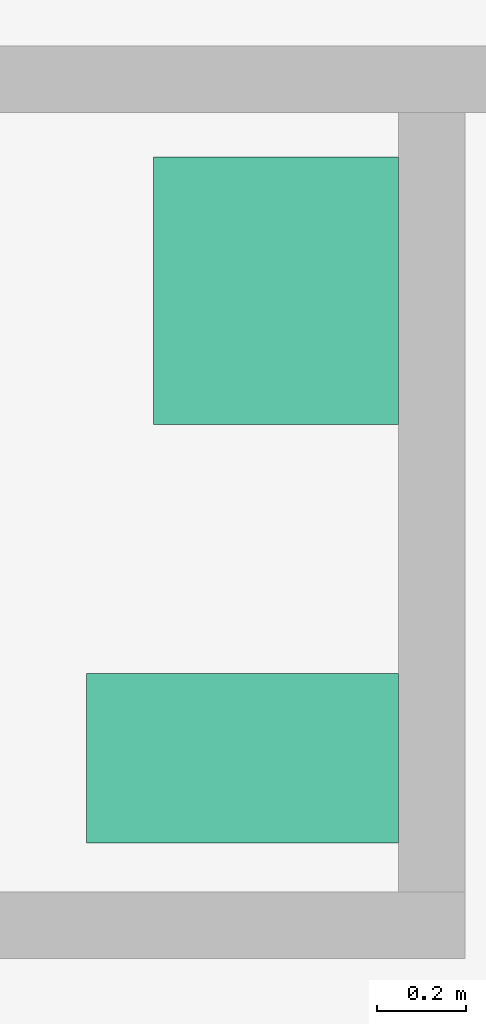
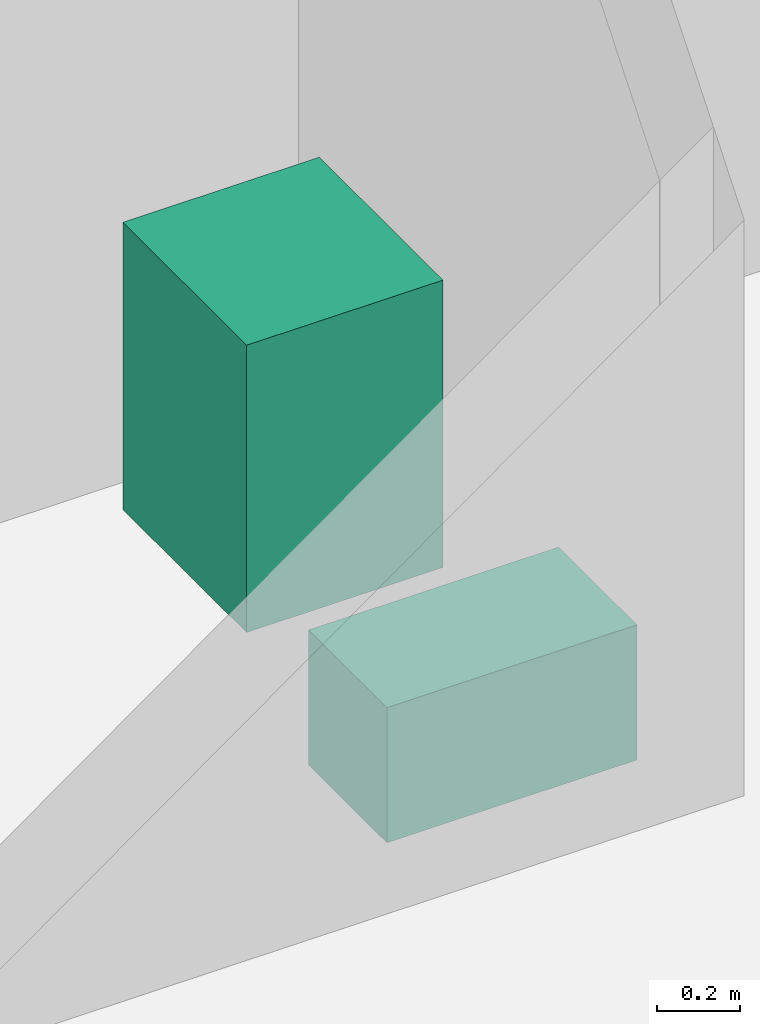
# One storey, part 14 of 14: 2 sanitary terminals.
"""IFC4 building model written with IfcOpenShell, lengths in metres."""

from ifc_helpers import new_model, si_unit, direction, frame, origin, origin_2d, place, context, subcontext, project, spatial, rectangle, extrude, material, element, save


model = new_model("IFC4")

# Units and contexts
model_context = context("Model", 3, precision=1e-05, world=origin(), true_north=direction((0.0, 1.0)))
body_context = subcontext(model_context, "Body", "Model", "MODEL_VIEW")
ifc_project = project(units=[si_unit("LENGTHUNIT", "METRE"), si_unit("AREAUNIT", "SQUARE_METRE"), si_unit("VOLUMEUNIT", "CUBIC_METRE"), si_unit("PLANEANGLEUNIT", "RADIAN"), si_unit("MASSUNIT", "GRAM", prefix="KILO")], contexts=[model_context])

# Site, building, storey
site_placement = place(None, origin())
site = spatial("IfcSite", under=ifc_project, at=site_placement, CompositionType="ELEMENT")
building_placement = place(site_placement, origin())
building = spatial("IfcBuilding", under=site, at=building_placement, Name="Kopane Lantern Tower", CompositionType="ELEMENT")
storey_placement = place(building_placement, frame((0.0, 0.0, 137.39990234375)))
storey = spatial("IfcBuildingStorey", under=building, at=storey_placement, Name="L35", CompositionType="ELEMENT", Elevation=137.39990234375)

# Sanitary terminals
ifc_material = material(Name="Vitreous china")
sanitary_terminal_1_placement = place(storey_placement, frame((34.14990234375, 27.75, 0.000244140625), z_axis=(0.0, 0.0, 1.0), x_axis=(1.0, 0.0, 0.0)))
element("IfcSanitaryTerminal", 1, at=sanitary_terminal_1_placement, inside=storey, material=ifc_material, Name="WC pan L35", PredefinedType="TOILETPAN", context=body_context, shape_type="SweptSolid", body=[
    extrude(rectangle(XDim=0.699951171875, YDim=0.3798828125, at=origin_2d()), origin(), (0.0, 0.0, 1.0), 0.39990234375),
])
sanitary_terminal_2_placement = place(storey_placement, frame((34.22509765625, 28.800048828125, 0.0), z_axis=(0.0, 0.0, 1.0), x_axis=(1.0, 0.0, 0.0)))
element("IfcSanitaryTerminal", 2, at=sanitary_terminal_2_placement, inside=storey, material=ifc_material, Name="Wash basin L35", PredefinedType="WASHHANDBASIN", context=body_context, shape_type="SweptSolid", body=[
    extrude(rectangle(XDim=0.550048828125, YDim=0.60009765625, at=origin_2d()), origin(), (0.0, 0.0, 1.0), 0.85009765625),
])

save(model, "model.ifc")
